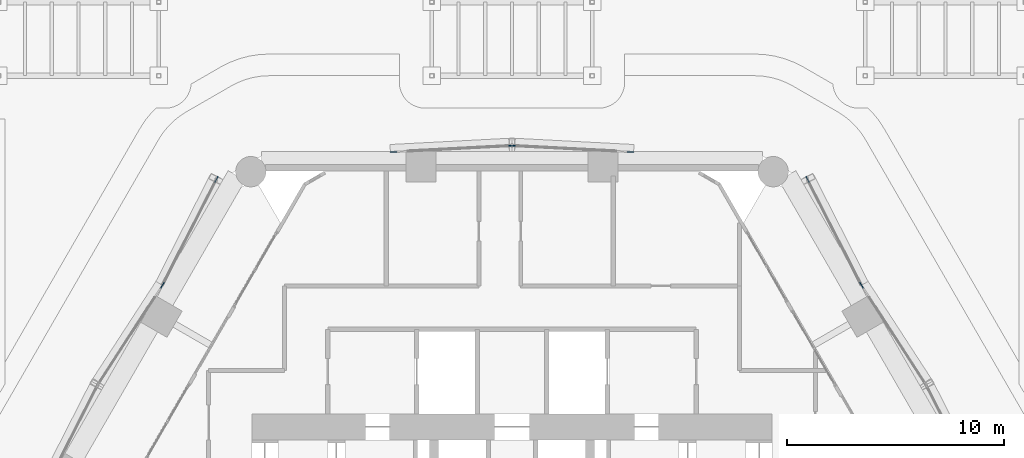
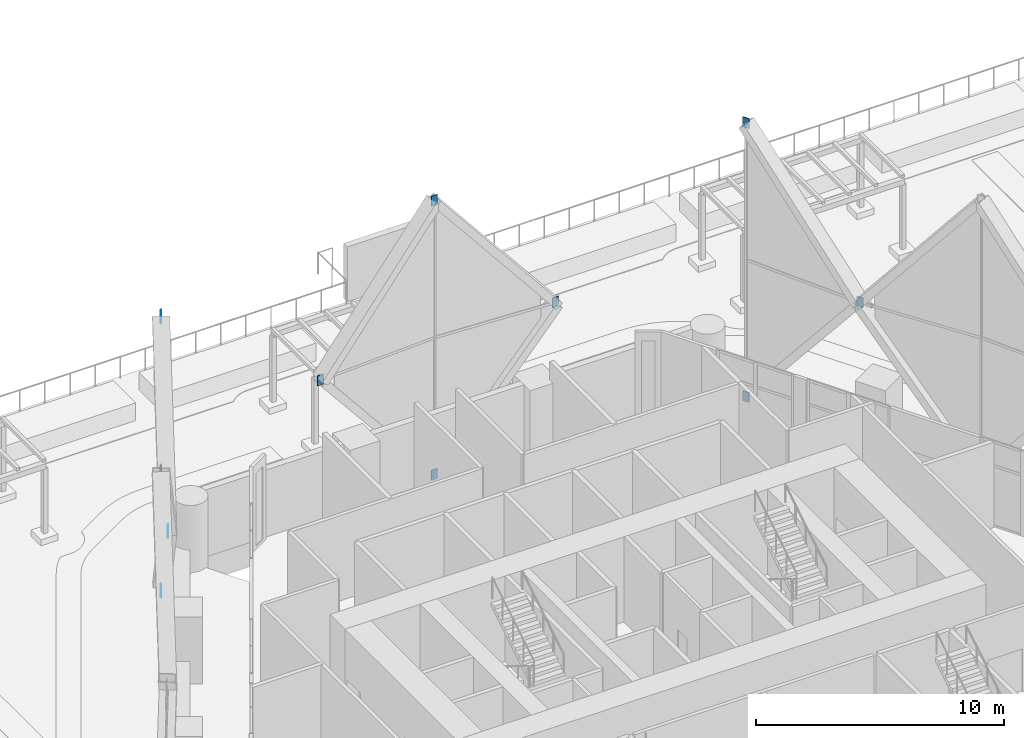
# One storey, part 61 of 71: 10 discrete accessories.
"""IFC4 building model written with IfcOpenShell, lengths in metres."""

from ifc_helpers import new_model, si_unit, direction, frame, origin, origin_2d, place, context, subcontext, project, spatial, rectangle, extrude, material, layer, layer_set, type_object, element, save


model = new_model("IFC4")

# Units and contexts
model_context = context("Model", 3, precision=1e-05, world=origin(), true_north=direction((0.0, 1.0)))
body_context = subcontext(model_context, "Body", "Model", "MODEL_VIEW")
ifc_project = project(units=[si_unit("LENGTHUNIT", "METRE"), si_unit("AREAUNIT", "SQUARE_METRE"), si_unit("VOLUMEUNIT", "CUBIC_METRE"), si_unit("PLANEANGLEUNIT", "RADIAN"), si_unit("MASSUNIT", "GRAM", prefix="KILO")], contexts=[model_context])

# Site, building, storey
site_placement = place(None, origin())
site = spatial("IfcSite", under=ifc_project, at=site_placement, CompositionType="ELEMENT")
building_placement = place(site_placement, origin())
building = spatial("IfcBuilding", under=site, at=building_placement, Name="Ostrander Bayou Hotel Tower", CompositionType="ELEMENT")
storey_placement = place(building_placement, frame((0.0, 0.0, 10.0)))
storey = spatial("IfcBuildingStorey", under=building, at=storey_placement, Name="L02", CompositionType="ELEMENT", Elevation=10.0)

# Discrete accessories
ifc_material = material(Name="Steel ASTM A572 Gr 50", Category="steel")
ifc_layer = layer(ifc_material, 0.030029296875)
ifc_layer_set = layer_set([ifc_layer], Name="GP1 gusset plate 30 mm")
discrete_accessory_type = type_object("IfcDiscreteAccessoryType", Name="GP1 gusset plate 30 mm", PredefinedType="BRACKET", material=ifc_layer_set)
for number, where, z_axis, x_axis, name in (
    (1, (5.475341796875, 21.783203125, 5.89990234375), (0.0, 0.0, 1.0), (-1.0, 0.0, 0.0), "GP1 gusset plate lat 1"),
    (2, (0.0, 22.070068359375, -0.85009765625), (0.0, 0.0, 1.0), (-1.0, 0.0, 0.0), "GP1 gusset plate lat 2"),
    (3, (0.0, 22.070068359375, 12.64990234375), (0.0, 0.0, 1.0), (-1.0, 0.0, 0.0), "GP1 gusset plate lat 3"),
    (4, (-5.475341796875, 21.783203125, 5.89990234375), (0.0, 0.0, 1.0), (-1.0, 0.0, 0.0), "GP1 gusset plate lat 4"),
    (5, (-16.126953125, 15.63330078125, 5.89990234375), (0.0, 0.0, 1.0), (-0.5, -0.866025403784, 0.0), "GP1 gusset plate lat 5"),
    (6, (-13.637939453125, 20.5185546875, -0.85009765625), (0.0, 0.0, 1.0), (-0.5, -0.866025403784, 0.0), "GP1 gusset plate lat 6"),
    (7, (-13.637939453125, 20.5185546875, 12.64990234375), (0.0, 0.0, 1.0), (-0.5, -0.866025403784, 0.0), "GP1 gusset plate lat 7"),
    (8, (16.126953125, 15.63330078125, 5.89990234375), (0.0, 0.0, 1.0), (-0.5, 0.866025403784, 0.0), "GP1 gusset plate lat 38"),
    (9, (13.637939453125, 20.5185546875, -0.85009765625), (0.0, 0.0, 1.0), (-0.5, 0.866025403784, 0.0), "GP1 gusset plate lat 39"),
    (10, (13.637939453125, 20.5185546875, 12.64990234375), (0.0, 0.0, 1.0), (-0.5, 0.866025403784, 0.0), "GP1 gusset plate lat 40"),
):
    element("IfcDiscreteAccessory", number, at=place(storey_placement, frame(where, z_axis=z_axis, x_axis=x_axis)), inside=storey, type_object=discrete_accessory_type, Name=name, PredefinedType="BRACKET", context=body_context, shape_type="SweptSolid", body=[
        extrude(rectangle(XDim=0.300048828125, YDim=0.030029296875, at=origin_2d()), origin(), (0.0, 0.0, 1.0), 0.5),
    ])

save(model, "model.ifc")
